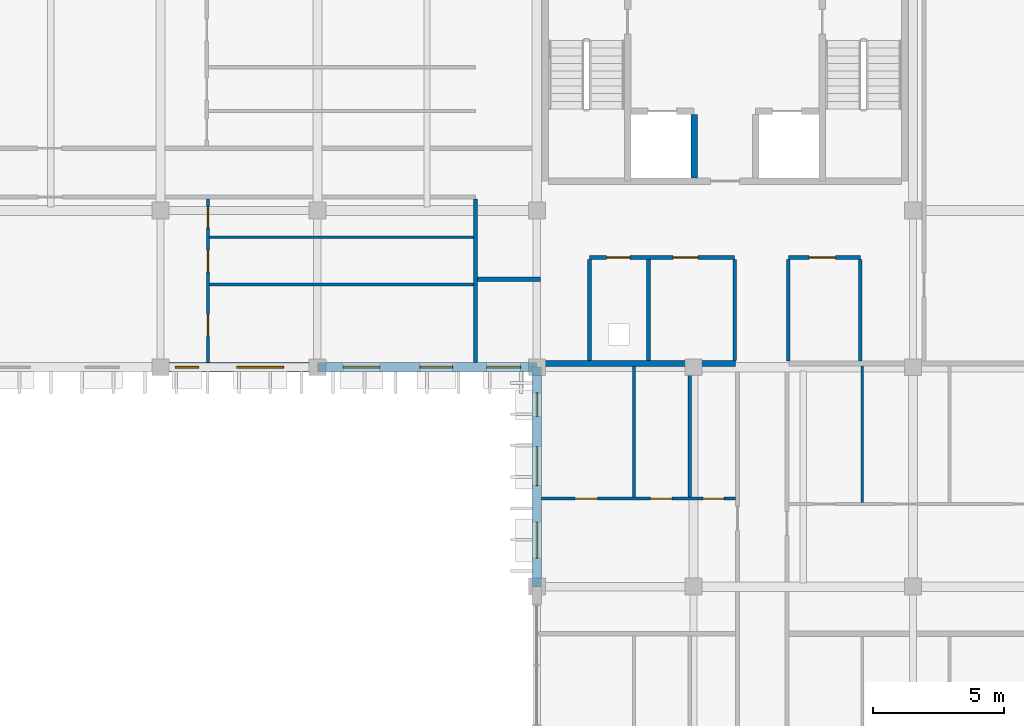
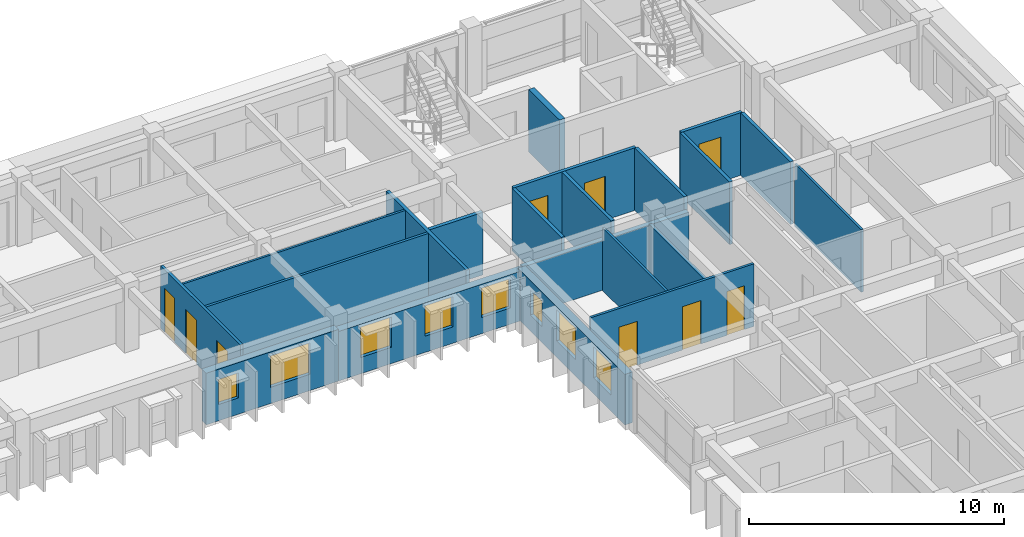
# One storey, part 47 of 79: 21 walls, 9 doors, 8 windows, 17 openings.
"""IFC4 building model written with IfcOpenShell, lengths in metres."""

from ifc_helpers import new_model, si_unit, direction, frame, frame_2d, origin, place, context, subcontext, project, spatial, rectangle, extrude, material, layer, layer_set, type_object, element, fill, save


model = new_model("IFC4")

# Units and contexts
model_context = context("Model", 3, precision=1e-05, world=origin(), true_north=direction((0.0, 1.0)))
body_context = subcontext(model_context, "Body", "Model", "MODEL_VIEW")
ifc_project = project(units=[si_unit("LENGTHUNIT", "METRE"), si_unit("AREAUNIT", "SQUARE_METRE"), si_unit("VOLUMEUNIT", "CUBIC_METRE"), si_unit("PLANEANGLEUNIT", "RADIAN"), si_unit("MASSUNIT", "GRAM", prefix="KILO"), si_unit("THERMODYNAMICTEMPERATUREUNIT", "KELVIN")], contexts=[model_context])

# Site, building, storey
site_placement = place(None, origin())
site = spatial("IfcSite", under=ifc_project, at=site_placement, CompositionType="ELEMENT")
building_placement = place(site_placement, origin())
building = spatial("IfcBuilding", under=site, at=building_placement, Name="Thalorik Housing Commons", CompositionType="ELEMENT")
storey_placement = place(building_placement, frame((0.0, 0.0, 11.39990234375)))
storey = spatial("IfcBuildingStorey", under=building, at=storey_placement, Name="L03", CompositionType="ELEMENT", Elevation=11.39990234375)

# Walls
ifc_material_1 = material(Name="Concrete C40/50", Category="concrete")
ifc_layer_1 = layer(ifc_material_1, 0.25, Name="Concrete C40/50", Category="concrete")
ifc_layer_set_1 = layer_set([ifc_layer_1], Name="Concrete C40/50")
wall_type_1 = type_object("IfcWallType", Name="ARC-WAL-CORE-250", PredefinedType="SHEAR", material=ifc_layer_set_1)
wall_1_placement = place(storey_placement, frame((158.425048828125, 118.875, 0.0), z_axis=(0.0, 0.0, 1.0), x_axis=(0.0, -1.0, 0.0)))
element("IfcWall", 1, at=wall_1_placement, inside=storey, type_object=wall_type_1, Name="L03 Lift 1 Cheek Wall", PredefinedType="SHEAR", context=body_context, shape_type="SweptSolid", body=[
    extrude(rectangle(XDim=2.425048828125, YDim=0.25, at=frame_2d((1.21240234375, 0.0))), origin(), (0.0, 0.0, 1.0), 3.0),
])
ifc_material_2 = material(Name="Masonry fire-rated corridor wall", Category="masonry")
ifc_layer_2 = layer(ifc_material_2, 0.14990234375, Name="Masonry fire-rated corridor wall", Category="masonry")
ifc_layer_set_2 = layer_set([ifc_layer_2], Name="Masonry fire-rated corridor wall")
wall_type_2 = type_object("IfcWallType", Name="ARC-WAL-CORR-150", PredefinedType="PARTITIONING", material=ifc_layer_set_2)
wall_2_placement = place(storey_placement, frame((150.050048828125, 109.376953125, 0.0), z_axis=(0.0, 0.0, 1.0), x_axis=(0.0, 1.0, 0.0)))
element("IfcWall", 2, at=wall_2_placement, inside=storey, type_object=wall_type_2, Name="L03 Block B Vestibule Cheek Wall", PredefinedType="PARTITIONING", context=body_context, shape_type="SweptSolid", body=[
    extrude(rectangle(XDim=6.26611328125, YDim=0.14990234375, at=frame_2d((3.133056640625, 0.0))), origin(), (0.0, 0.0, 1.0), 3.0),
])
ifc_layer_3 = layer(ifc_material_2, 0.1650390625, Name="Masonry fire-rated corridor wall", Category="masonry")
ifc_layer_set_3 = layer_set([ifc_layer_3], Name="Masonry fire-rated corridor wall")
wall_type_3 = type_object("IfcWallType", Name="ARC-WAL-CORR-165", PredefinedType="PARTITIONING", material=ifc_layer_set_3)
wall_3_placement = place(storey_placement, frame((150.126953125, 112.570068359375, 0.0), z_axis=(0.0, 0.0, 1.0), x_axis=(1.0, 0.0, 0.0)))
element("IfcWall", 3, at=wall_3_placement, inside=storey, type_object=wall_type_3, Name="L03 Block B Vestibule South Wall", PredefinedType="PARTITIONING", context=body_context, shape_type="SweptSolid", body=[
    extrude(rectangle(XDim=2.4130859375, YDim=0.1650390625, at=frame_2d((1.20654296875, 0.0))), origin(), (0.0, 0.0, 1.0), 3.0),
])

# Wall, openings, windows
ifc_material_3 = material(Name="White precast concrete C40/50", Category="concrete")
ifc_layer_4 = layer(ifc_material_3, 0.35009765625, Name="White precast concrete C40/50", Category="concrete")
ifc_layer_set_4 = layer_set([ifc_layer_4], Name="White precast concrete C40/50")
wall_type_4 = type_object("IfcWallType", Name="ARC-WAL-EXT-350", PredefinedType="STANDARD", material=ifc_layer_set_4)
wall_4_placement = place(storey_placement, frame((138.0, 109.199951171875, 0.0), z_axis=(0.0, 0.0, 1.0), x_axis=(1.0, 0.0, 0.0)))
wall_4 = element("IfcWall", 4, at=wall_4_placement, inside=storey, type_object=wall_type_4, Name="L03 Exterior Wall WAL-EXT-L03-B-0508", PredefinedType="STANDARD", context=body_context, shape_type="SweptSolid", body=[
    extrude(rectangle(XDim=6.0, YDim=0.35009765625, at=frame_2d((3.0, 0.0))), origin(), (0.0, 0.0, 1.0), 2.47509765625),
])
opening_1_placement = place(wall_4_placement, frame((0.552490234375, 0.0, 0.780029296875)))
opening_1 = element("IfcOpeningElement", 5, at=opening_1_placement, cuts=wall_4, Name="Opening W-01", PredefinedType="OPENING", context=body_context, shape_type="SweptSolid", body=[
    extrude(rectangle(XDim=0.89990234375, YDim=1.199951171875, at=frame_2d((0.449951171875, 0.60009765625))), frame((0.0, 0.18505859375, 0.0), z_axis=(0.0, -1.0, 0.0), x_axis=(1.0, 0.0, 0.0)), (0.0, 0.0, 1.0), 0.3701171875),
])
opening_2_placement = place(wall_4_placement, frame((2.91259765625, 0.0, 0.780029296875)))
opening_2 = element("IfcOpeningElement", 6, at=opening_2_placement, cuts=wall_4, Name="Opening W-18", PredefinedType="OPENING", context=body_context, shape_type="SweptSolid", body=[
    extrude(rectangle(XDim=1.800048828125, YDim=1.5, at=frame_2d((0.89990234375, 0.75))), frame((0.0, 0.18505859375, 0.0), z_axis=(0.0, -1.0, 0.0), x_axis=(1.0, 0.0, 0.0)), (0.0, 0.0, 1.0), 0.3701171875),
])
ifc_material_4 = material(Name="Anodised aluminium and solar-control low-E glass", Category="aluminium")
window_type_1 = type_object("IfcWindowType", Name="ARC-WIN-01", PartitioningType="SINGLE_PANEL", PredefinedType="WINDOW", material=ifc_material_4)
window_1_placement = place(opening_1_placement, origin())
window_1 = element("IfcWindow", 7, at=window_1_placement, inside=storey, type_object=window_type_1, Name="L03 Facade Window 913", OverallHeight=1.199951171875, OverallWidth=0.89990234375, PartitioningType="SINGLE_PANEL", PredefinedType="WINDOW", context=body_context, shape_type="SweptSolid", body=[
    extrude(rectangle(XDim=0.89990234375, YDim=1.199951171875, at=frame_2d((0.449951171875, 0.60009765625))), frame((0.0, 0.030029296875, 0.0), z_axis=(0.0, -1.0, 0.0), x_axis=(1.0, 0.0, 0.0)), (0.0, 0.0, 1.0), 0.06005859375),
])
fill(opening_1, window_1)
window_type_2 = type_object("IfcWindowType", Name="ARC-WIN-18", PartitioningType="DOUBLE_PANEL_VERTICAL", PredefinedType="WINDOW", material=ifc_material_4)
window_2_placement = place(opening_2_placement, origin())
window_2 = element("IfcWindow", 8, at=window_2_placement, inside=storey, type_object=window_type_2, Name="L03 Facade Window 914", OverallHeight=1.5, OverallWidth=1.800048828125, PartitioningType="DOUBLE_PANEL_VERTICAL", PredefinedType="WINDOW", context=body_context, shape_type="SweptSolid", body=[
    extrude(rectangle(XDim=1.800048828125, YDim=1.5, at=frame_2d((0.89990234375, 0.75))), frame((0.0, 0.030029296875, 0.0), z_axis=(0.0, -1.0, 0.0), x_axis=(1.0, 0.0, 0.0)), (0.0, 0.0, 1.0), 0.06005859375),
])
fill(opening_2, window_2)

wall_5_placement = place(storey_placement, frame((144.0, 109.199951171875, 0.0), z_axis=(0.0, 0.0, 1.0), x_axis=(1.0, 0.0, 0.0)))
wall_5 = element("IfcWall", 9, at=wall_5_placement, inside=storey, type_object=wall_type_4, Name="L03 Exterior Wall WAL-EXT-L03-B-0509", PredefinedType="STANDARD", context=body_context, shape_type="SweptSolid", body=[
    extrude(rectangle(XDim=8.39990234375, YDim=0.35009765625, at=frame_2d((4.199951171875, 0.0))), origin(), (0.0, 0.0, 1.0), 2.375),
])
opening_3_placement = place(wall_5_placement, frame((0.989990234375, 0.0, 0.780029296875)))
opening_3 = element("IfcOpeningElement", 10, at=opening_3_placement, cuts=wall_5, Name="Opening W-08", PredefinedType="OPENING", context=body_context, shape_type="SweptSolid", body=[
    extrude(rectangle(XDim=1.39990234375, YDim=1.449951171875, at=frame_2d((0.699951171875, 0.72509765625))), frame((0.0, 0.18505859375, 0.0), z_axis=(0.0, -1.0, 0.0), x_axis=(1.0, 0.0, 0.0)), (0.0, 0.0, 1.0), 0.3701171875),
])
opening_4_placement = place(wall_5_placement, frame((3.925048828125, 0.0, 0.780029296875)))
opening_4 = element("IfcOpeningElement", 11, at=opening_4_placement, cuts=wall_5, Name="Opening W-47", PredefinedType="OPENING", context=body_context, shape_type="SweptSolid", body=[
    extrude(rectangle(XDim=1.25, YDim=1.449951171875, at=frame_2d((0.625, 0.72509765625))), frame((0.0, 0.18505859375, 0.0), z_axis=(0.0, -1.0, 0.0), x_axis=(1.0, 0.0, 0.0)), (0.0, 0.0, 1.0), 0.3701171875),
])
opening_5_placement = place(wall_5_placement, frame((6.47998046875, 0.0, 0.780029296875)))
opening_5 = element("IfcOpeningElement", 12, at=opening_5_placement, cuts=wall_5, Name="Opening W-06", PredefinedType="OPENING", context=body_context, shape_type="SweptSolid", body=[
    extrude(rectangle(XDim=1.300048828125, YDim=1.39990234375, at=frame_2d((0.64990234375, 0.699951171875))), frame((0.0, 0.18505859375, 0.0), z_axis=(0.0, -1.0, 0.0), x_axis=(1.0, 0.0, 0.0)), (0.0, 0.0, 1.0), 0.3701171875),
])
window_type_3 = type_object("IfcWindowType", Name="ARC-WIN-06", PartitioningType="SINGLE_PANEL", PredefinedType="WINDOW", material=ifc_material_4)
window_3_placement = place(opening_5_placement, origin())
window_3 = element("IfcWindow", 13, at=window_3_placement, inside=storey, type_object=window_type_3, Name="L03 Facade Window 917", OverallHeight=1.39990234375, OverallWidth=1.300048828125, PartitioningType="SINGLE_PANEL", PredefinedType="WINDOW", context=body_context, shape_type="SweptSolid", body=[
    extrude(rectangle(XDim=1.300048828125, YDim=1.39990234375, at=frame_2d((0.64990234375, 0.699951171875))), frame((0.0, 0.030029296875, 0.0), z_axis=(0.0, -1.0, 0.0), x_axis=(1.0, 0.0, 0.0)), (0.0, 0.0, 1.0), 0.06005859375),
])
fill(opening_5, window_3)
window_type_4 = type_object("IfcWindowType", Name="ARC-WIN-08", PartitioningType="SINGLE_PANEL", PredefinedType="WINDOW", material=ifc_material_4)
window_4_placement = place(opening_3_placement, origin())
window_4 = element("IfcWindow", 14, at=window_4_placement, inside=storey, type_object=window_type_4, Name="L03 Facade Window 915", OverallHeight=1.449951171875, OverallWidth=1.39990234375, PartitioningType="SINGLE_PANEL", PredefinedType="WINDOW", context=body_context, shape_type="SweptSolid", body=[
    extrude(rectangle(XDim=1.39990234375, YDim=1.449951171875, at=frame_2d((0.699951171875, 0.72509765625))), frame((0.0, 0.030029296875, 0.0), z_axis=(0.0, -1.0, 0.0), x_axis=(1.0, 0.0, 0.0)), (0.0, 0.0, 1.0), 0.06005859375),
])
fill(opening_3, window_4)
window_type_5 = type_object("IfcWindowType", Name="ARC-WIN-47", PartitioningType="SINGLE_PANEL", PredefinedType="WINDOW", material=ifc_material_4)
window_5_placement = place(opening_4_placement, origin())
window_5 = element("IfcWindow", 15, at=window_5_placement, inside=storey, type_object=window_type_5, Name="L03 Facade Window 916", OverallHeight=1.449951171875, OverallWidth=1.25, PartitioningType="SINGLE_PANEL", PredefinedType="WINDOW", context=body_context, shape_type="SweptSolid", body=[
    extrude(rectangle(XDim=1.25, YDim=1.449951171875, at=frame_2d((0.625, 0.72509765625))), frame((0.0, 0.030029296875, 0.0), z_axis=(0.0, -1.0, 0.0), x_axis=(1.0, 0.0, 0.0)), (0.0, 0.0, 1.0), 0.06005859375),
])
fill(opening_4, window_5)

wall_6_placement = place(storey_placement, frame((152.39990234375, 109.199951171875, 0.0), z_axis=(0.0, 0.0, 1.0), x_axis=(0.0, -1.0, 0.0)))
wall_6 = element("IfcWall", 16, at=wall_6_placement, inside=storey, type_object=wall_type_4, Name="L03 Exterior Wall WAL-EXT-L03-B-0510", PredefinedType="STANDARD", context=body_context, shape_type="SweptSolid", body=[
    extrude(rectangle(XDim=8.39990234375, YDim=0.35009765625, at=frame_2d((4.199951171875, 0.0))), origin(), (0.0, 0.0, 1.0), 2.425048828125),
])
opening_6_placement = place(wall_6_placement, frame((0.985107421875, 0.0, 0.780029296875)))
opening_6 = element("IfcOpeningElement", 17, at=opening_6_placement, cuts=wall_6, Name="Opening W-01", PredefinedType="OPENING", context=body_context, shape_type="SweptSolid", body=[
    extrude(rectangle(XDim=0.89990234375, YDim=1.199951171875, at=frame_2d((0.449951171875, 0.60009765625))), frame((0.0, 0.18505859375, 0.0), z_axis=(0.0, -1.0, 0.0), x_axis=(1.0, 0.0, 0.0)), (0.0, 0.0, 1.0), 0.3701171875),
])
opening_7_placement = place(wall_6_placement, frame((3.034912109375, 0.0, 0.780029296875)))
opening_7 = element("IfcOpeningElement", 18, at=opening_7_placement, cuts=wall_6, Name="Opening W-10", PredefinedType="OPENING", context=body_context, shape_type="SweptSolid", body=[
    extrude(rectangle(XDim=1.5, YDim=1.5, at=frame_2d((0.75, 0.75))), frame((0.0, 0.18505859375, 0.0), z_axis=(0.0, -1.0, 0.0), x_axis=(1.0, 0.0, 0.0)), (0.0, 0.0, 1.0), 0.3701171875),
])
opening_8_placement = place(wall_6_placement, frame((5.929931640625, 0.0, 0.780029296875)))
opening_8 = element("IfcOpeningElement", 19, at=opening_8_placement, cuts=wall_6, Name="Opening W-49", PredefinedType="OPENING", context=body_context, shape_type="SweptSolid", body=[
    extrude(rectangle(XDim=1.3798828125, YDim=1.47998046875, at=frame_2d((0.68994140625, 0.739990234375))), frame((0.0, 0.18505859375, 0.0), z_axis=(0.0, -1.0, 0.0), x_axis=(1.0, 0.0, 0.0)), (0.0, 0.0, 1.0), 0.3701171875),
])
window_6_placement = place(opening_6_placement, origin())
window_6 = element("IfcWindow", 20, at=window_6_placement, inside=storey, type_object=window_type_1, Name="L03 Facade Window 918", OverallHeight=1.199951171875, OverallWidth=0.89990234375, PartitioningType="SINGLE_PANEL", PredefinedType="WINDOW", context=body_context, shape_type="SweptSolid", body=[
    extrude(rectangle(XDim=0.89990234375, YDim=1.199951171875, at=frame_2d((0.449951171875, 0.60009765625))), frame((0.0, 0.030029296875, 0.0), z_axis=(0.0, -1.0, 0.0), x_axis=(1.0, 0.0, 0.0)), (0.0, 0.0, 1.0), 0.06005859375),
])
fill(opening_6, window_6)
window_type_6 = type_object("IfcWindowType", Name="ARC-WIN-10", PartitioningType="SINGLE_PANEL", PredefinedType="WINDOW", material=ifc_material_4)
window_7_placement = place(opening_7_placement, origin())
window_7 = element("IfcWindow", 21, at=window_7_placement, inside=storey, type_object=window_type_6, Name="L03 Facade Window 919", OverallHeight=1.5, OverallWidth=1.5, PartitioningType="SINGLE_PANEL", PredefinedType="WINDOW", context=body_context, shape_type="SweptSolid", body=[
    extrude(rectangle(XDim=1.5, YDim=1.5, at=frame_2d((0.75, 0.75))), frame((0.0, 0.030029296875, 0.0), z_axis=(0.0, -1.0, 0.0), x_axis=(1.0, 0.0, 0.0)), (0.0, 0.0, 1.0), 0.06005859375),
])
fill(opening_7, window_7)
window_type_7 = type_object("IfcWindowType", Name="ARC-WIN-49", PartitioningType="SINGLE_PANEL", PredefinedType="WINDOW", material=ifc_material_4)
window_8_placement = place(opening_8_placement, origin())
window_8 = element("IfcWindow", 22, at=window_8_placement, inside=storey, type_object=window_type_7, Name="L03 Facade Window 920", OverallHeight=1.47998046875, OverallWidth=1.3798828125, PartitioningType="SINGLE_PANEL", PredefinedType="WINDOW", context=body_context, shape_type="SweptSolid", body=[
    extrude(rectangle(XDim=1.3798828125, YDim=1.47998046875, at=frame_2d((0.68994140625, 0.739990234375))), frame((0.0, 0.030029296875, 0.0), z_axis=(0.0, -1.0, 0.0), x_axis=(1.0, 0.0, 0.0)), (0.0, 0.0, 1.0), 0.06005859375),
])
fill(opening_8, window_8)

# Walls
ifc_material_5 = material(Name="Gypsum light stud partition", Category="masonry")
ifc_layer_5 = layer(ifc_material_5, 0.10009765625, Name="Gypsum light stud partition", Category="masonry")
ifc_layer_set_5 = layer_set([ifc_layer_5], Name="Gypsum light stud partition")
wall_type_5 = type_object("IfcWallType", Name="ARC-WAL-PART-100", PredefinedType="PARTITIONING", material=ifc_layer_set_5)
wall_7_placement = place(storey_placement, frame((139.87939453125, 114.169677734375, 0.0), z_axis=(0.0, 0.0, 1.0), x_axis=(1.0, 0.0, 0.0)))
element("IfcWall", 23, at=wall_7_placement, inside=storey, type_object=wall_type_5, Name="L03 Unit 3 Wet Wall", PredefinedType="PARTITIONING", context=body_context, shape_type="SweptSolid", body=[
    extrude(rectangle(XDim=10.093505859375, YDim=0.10009765625, at=frame_2d((5.046875, 0.0))), origin(), (0.0, 0.0, 1.0), 3.0),
])
wall_8_placement = place(storey_placement, frame((156.11767578125, 104.2294921875, 0.0), z_axis=(0.0, 0.0, 1.0), x_axis=(0.0, 1.0, 0.0)))
element("IfcWall", 24, at=wall_8_placement, inside=storey, type_object=wall_type_5, Name="L03 Unit 3 Bedroom Partition", PredefinedType="PARTITIONING", context=body_context, shape_type="SweptSolid", body=[
    extrude(rectangle(XDim=4.99853515625, YDim=0.10009765625, at=frame_2d((2.499267578125, 0.0))), origin(), (0.0, 0.0, 1.0), 3.0),
])
wall_9_placement = place(storey_placement, frame((164.850341796875, 104.027587890625, 0.0), z_axis=(0.0, 0.0, 1.0), x_axis=(0.0, 1.0, 0.0)))
element("IfcWall", 25, at=wall_9_placement, inside=storey, type_object=wall_type_5, Name="L03 Unit 3B Wet Wall", PredefinedType="PARTITIONING", context=body_context, shape_type="SweptSolid", body=[
    extrude(rectangle(XDim=5.218017578125, YDim=0.10009765625, at=frame_2d((2.60888671875, 0.0))), origin(), (0.0, 0.0, 1.0), 3.0),
])
ifc_material_6 = material(Name="Gypsum moisture-resistant partition", Category="masonry")
ifc_layer_6 = layer(ifc_material_6, 0.114990234375, Name="Gypsum moisture-resistant partition", Category="masonry")
ifc_layer_set_6 = layer_set([ifc_layer_6], Name="Gypsum moisture-resistant partition")
wall_type_6 = type_object("IfcWallType", Name="ARC-WAL-PART-115", PredefinedType="PARTITIONING", material=ifc_layer_set_6)
wall_10_placement = place(storey_placement, frame((139.87939453125, 112.36083984375, 0.0), z_axis=(0.0, 0.0, 1.0), x_axis=(1.0, 0.0, 0.0)))
element("IfcWall", 26, at=wall_10_placement, inside=storey, type_object=wall_type_6, Name="L03 Unit 3 Bedroom Partition", PredefinedType="PARTITIONING", context=body_context, shape_type="SweptSolid", body=[
    extrude(rectangle(XDim=10.093505859375, YDim=0.114990234375, at=frame_2d((5.046875, 0.0))), origin(), (0.0, 0.0, 1.0), 3.0),
])

# Wall, openings, doors
wall_11_placement = place(storey_placement, frame((152.576904296875, 104.169921875, 0.0), z_axis=(0.0, 0.0, 1.0), x_axis=(1.0, 0.0, 0.0)))
wall_11 = element("IfcWall", 27, at=wall_11_placement, inside=storey, type_object=wall_type_6, Name="L03 Unit 3 Spine Partition", PredefinedType="PARTITIONING", context=body_context, shape_type="SweptSolid", body=[
    extrude(rectangle(XDim=7.418701171875, YDim=0.114990234375, at=frame_2d((3.70947265625, 0.0))), origin(), (0.0, 0.0, 1.0), 3.0),
])
opening_9_placement = place(wall_11_placement, frame((1.286865234375, 0.0, 0.0)))
opening_9 = element("IfcOpeningElement", 28, at=opening_9_placement, cuts=wall_11, Name="Opening ID-1111", PredefinedType="OPENING", context=body_context, shape_type="SweptSolid", body=[
    extrude(rectangle(XDim=0.85009765625, YDim=2.10009765625, at=frame_2d((0.425048828125, 1.050048828125))), frame((0.0, 0.0673828125, 0.0), z_axis=(0.0, -1.0, 0.0), x_axis=(1.0, 0.0, 0.0)), (0.0, 0.0, 1.0), 0.135009765625),
])
opening_10_placement = place(wall_11_placement, frame((4.182373046875, 0.0, 0.0)))
opening_10 = element("IfcOpeningElement", 29, at=opening_10_placement, cuts=wall_11, Name="Opening ID-1112", PredefinedType="OPENING", context=body_context, shape_type="SweptSolid", body=[
    extrude(rectangle(XDim=0.820068359375, YDim=2.080078125, at=frame_2d((0.41015625, 1.0400390625))), frame((0.0, 0.0673828125, 0.0), z_axis=(0.0, -1.0, 0.0), x_axis=(1.0, 0.0, 0.0)), (0.0, 0.0, 1.0), 0.135009765625),
])
opening_11_placement = place(wall_11_placement, frame((6.188720703125, 0.0, 0.0)))
opening_11 = element("IfcOpeningElement", 30, at=opening_11_placement, cuts=wall_11, Name="Opening ID-1113", PredefinedType="OPENING", context=body_context, shape_type="SweptSolid", body=[
    extrude(rectangle(XDim=0.800048828125, YDim=2.10009765625, at=frame_2d((0.39990234375, 1.050048828125))), frame((0.0, 0.0673828125, 0.0), z_axis=(0.0, -1.0, 0.0), x_axis=(1.0, 0.0, 0.0)), (0.0, 0.0, 1.0), 0.135009765625),
])
ifc_material_7 = material(Name="Moisture-resistant timber", Category="wood")
door_type_1 = type_object("IfcDoorType", Name="ARC-DR-INT-800", OperationType="NOTDEFINED", PredefinedType="DOOR", material=ifc_material_7)
door_1_placement = place(opening_11_placement, origin())
door_1 = element("IfcDoor", 31, at=door_1_placement, inside=storey, type_object=door_type_1, Name="L03 Flat Bathroom Door", OperationType="SINGLE_SWING_RIGHT", OverallHeight=2.10009765625, OverallWidth=0.800048828125, PredefinedType="DOOR", context=body_context, shape_type="SweptSolid", body=[
    extrude(rectangle(XDim=0.800048828125, YDim=2.10009765625, at=frame_2d((0.39990234375, 1.050048828125))), frame((0.0, 0.02490234375, 0.0), z_axis=(0.0, -1.0, 0.0), x_axis=(1.0, 0.0, 0.0)), (0.0, 0.0, 1.0), 0.050048828125),
])
fill(opening_11, door_1)
ifc_material_8 = material(Name="Engineered oak timber", Category="wood")
door_type_2 = type_object("IfcDoorType", Name="ARC-DR-INT-820", OperationType="NOTDEFINED", PredefinedType="DOOR", material=ifc_material_8)
door_2_placement = place(opening_10_placement, origin())
door_2 = element("IfcDoor", 32, at=door_2_placement, inside=storey, type_object=door_type_2, Name="L03 Eat-In Kitchen Door", OperationType="SINGLE_SWING_LEFT", OverallHeight=2.080078125, OverallWidth=0.820068359375, PredefinedType="DOOR", context=body_context, shape_type="SweptSolid", body=[
    extrude(rectangle(XDim=0.820068359375, YDim=2.080078125, at=frame_2d((0.41015625, 1.0400390625))), frame((0.0, 0.02490234375, 0.0), z_axis=(0.0, -1.0, 0.0), x_axis=(1.0, 0.0, 0.0)), (0.0, 0.0, 1.0), 0.050048828125),
])
fill(opening_10, door_2)
door_type_3 = type_object("IfcDoorType", Name="ARC-DR-INT-850", OperationType="NOTDEFINED", PredefinedType="DOOR", material=ifc_material_8)
door_3_placement = place(opening_9_placement, origin())
door_3 = element("IfcDoor", 33, at=door_3_placement, inside=storey, type_object=door_type_3, Name="L03 Master Bedroom Door", OperationType="SINGLE_SWING_RIGHT", OverallHeight=2.10009765625, OverallWidth=0.85009765625, PredefinedType="DOOR", context=body_context, shape_type="SweptSolid", body=[
    extrude(rectangle(XDim=0.85009765625, YDim=2.10009765625, at=frame_2d((0.425048828125, 1.050048828125))), frame((0.0, 0.02490234375, 0.0), z_axis=(0.0, -1.0, 0.0), x_axis=(1.0, 0.0, 0.0)), (0.0, 0.0, 1.0), 0.050048828125),
])
fill(opening_9, door_3)

ifc_material_9 = material(Name="Gypsum acoustic stud partition", Category="masonry")
ifc_layer_7 = layer(ifc_material_9, 0.125, Name="Gypsum acoustic stud partition", Category="masonry")
ifc_layer_set_7 = layer_set([ifc_layer_7], Name="Gypsum acoustic stud partition")
wall_type_7 = type_object("IfcWallType", Name="ARC-WAL-PART-125", PredefinedType="PARTITIONING", material=ifc_layer_set_7)
wall_12_placement = place(storey_placement, frame((139.81494140625, 109.376953125, 0.0), z_axis=(0.0, 0.0, 1.0), x_axis=(0.0, 1.0, 0.0)))
wall_12 = element("IfcWall", 34, at=wall_12_placement, inside=storey, type_object=wall_type_7, Name="L03 Unit 3 Spine Partition", PredefinedType="PARTITIONING", context=body_context, shape_type="SweptSolid", body=[
    extrude(rectangle(XDim=6.26611328125, YDim=0.125, at=frame_2d((3.133056640625, 0.0))), origin(), (0.0, 0.0, 1.0), 3.0),
])
opening_12_placement = place(wall_12_placement, frame((1.00830078125, 0.0, 0.0)))
opening_12 = element("IfcOpeningElement", 35, at=opening_12_placement, cuts=wall_12, Name="Opening ID-1086", PredefinedType="OPENING", context=body_context, shape_type="SweptSolid", body=[
    extrude(rectangle(XDim=0.85009765625, YDim=2.10009765625, at=frame_2d((0.425048828125, 1.050048828125))), frame((0.0, 0.072509765625, 0.0), z_axis=(0.0, -1.0, 0.0), x_axis=(1.0, 0.0, 0.0)), (0.0, 0.0, 1.0), 0.14501953125),
])
opening_13_placement = place(wall_12_placement, frame((3.463134765625, 0.0, 0.0)))
opening_13 = element("IfcOpeningElement", 36, at=opening_13_placement, cuts=wall_12, Name="Opening ID-1087", PredefinedType="OPENING", context=body_context, shape_type="SweptSolid", body=[
    extrude(rectangle(XDim=0.85009765625, YDim=2.10009765625, at=frame_2d((0.425048828125, 1.050048828125))), frame((0.0, 0.072509765625, 0.0), z_axis=(0.0, -1.0, 0.0), x_axis=(1.0, 0.0, 0.0)), (0.0, 0.0, 1.0), 0.14501953125),
])
opening_14_placement = place(wall_12_placement, frame((5.167724609375, 0.0, 0.0)))
opening_14 = element("IfcOpeningElement", 37, at=opening_14_placement, cuts=wall_12, Name="Opening ID-1088", PredefinedType="OPENING", context=body_context, shape_type="SweptSolid", body=[
    extrude(rectangle(XDim=0.800048828125, YDim=2.10009765625, at=frame_2d((0.39990234375, 1.050048828125))), frame((0.0, 0.072509765625, 0.0), z_axis=(0.0, -1.0, 0.0), x_axis=(1.0, 0.0, 0.0)), (0.0, 0.0, 1.0), 0.14501953125),
])
door_4_placement = place(opening_14_placement, origin())
door_4 = element("IfcDoor", 38, at=door_4_placement, inside=storey, type_object=door_type_1, Name="L03 Flat Bathroom Door", OperationType="SINGLE_SWING_LEFT", OverallHeight=2.10009765625, OverallWidth=0.800048828125, PredefinedType="DOOR", context=body_context, shape_type="SweptSolid", body=[
    extrude(rectangle(XDim=0.800048828125, YDim=2.10009765625, at=frame_2d((0.39990234375, 1.050048828125))), frame((0.0, 0.02490234375, 0.0), z_axis=(0.0, -1.0, 0.0), x_axis=(1.0, 0.0, 0.0)), (0.0, 0.0, 1.0), 0.050048828125),
])
fill(opening_14, door_4)
door_5_placement = place(opening_12_placement, origin())
door_5 = element("IfcDoor", 39, at=door_5_placement, inside=storey, type_object=door_type_3, Name="L03 Master Bedroom Door", OperationType="SINGLE_SWING_LEFT", OverallHeight=2.10009765625, OverallWidth=0.85009765625, PredefinedType="DOOR", context=body_context, shape_type="SweptSolid", body=[
    extrude(rectangle(XDim=0.85009765625, YDim=2.10009765625, at=frame_2d((0.425048828125, 1.050048828125))), frame((0.0, 0.02490234375, 0.0), z_axis=(0.0, -1.0, 0.0), x_axis=(1.0, 0.0, 0.0)), (0.0, 0.0, 1.0), 0.050048828125),
])
fill(opening_12, door_5)
door_6_placement = place(opening_13_placement, origin())
door_6 = element("IfcDoor", 40, at=door_6_placement, inside=storey, type_object=door_type_3, Name="L03 Eat-In Kitchen Door", OperationType="SINGLE_SWING_RIGHT", OverallHeight=2.10009765625, OverallWidth=0.85009765625, PredefinedType="DOOR", context=body_context, shape_type="SweptSolid", body=[
    extrude(rectangle(XDim=0.85009765625, YDim=2.10009765625, at=frame_2d((0.425048828125, 1.050048828125))), frame((0.0, 0.02490234375, 0.0), z_axis=(0.0, -1.0, 0.0), x_axis=(1.0, 0.0, 0.0)), (0.0, 0.0, 1.0), 0.050048828125),
])
fill(opening_13, door_6)

# Walls
ifc_material_10 = material(Name="Ceramic masonry partition wall", Category="masonry")
ifc_layer_8 = layer(ifc_material_10, 0.139892578125, Name="Ceramic masonry partition wall", Category="masonry")
ifc_layer_set_8 = layer_set([ifc_layer_8], Name="Ceramic masonry partition wall")
wall_type_8 = type_object("IfcWallType", Name="ARC-WAL-PART-140", PredefinedType="PARTITIONING", material=ifc_layer_set_8)
wall_13_placement = place(storey_placement, frame((158.251220703125, 104.2294921875, 0.0), z_axis=(0.0, 0.0, 1.0), x_axis=(0.0, 1.0, 0.0)))
element("IfcWall", 41, at=wall_13_placement, inside=storey, type_object=wall_type_8, Name="L03 Unit 3 Wet Wall", PredefinedType="PARTITIONING", context=body_context, shape_type="SweptSolid", body=[
    extrude(rectangle(XDim=4.99853515625, YDim=0.139892578125, at=frame_2d((2.499267578125, 0.0))), origin(), (0.0, 0.0, 1.0), 2.425048828125),
])
ifc_layer_9 = layer(ifc_material_10, 0.14794921875, Name="Ceramic masonry partition wall", Category="masonry")
ifc_layer_set_9 = layer_set([ifc_layer_9], Name="Ceramic masonry partition wall")
wall_type_9 = type_object("IfcWallType", Name="ARC-WAL-PART-150", PredefinedType="PARTITIONING", material=ifc_layer_set_9)
for number, where, z_axis, x_axis, name in (
    (42, (154.419921875, 113.323974609375, 0.0), (0.0, 0.0, 1.0), (0.0, -1.0, 0.0), "Core West Enclosing Wall"),
    (43, (156.675048828125, 113.323974609375, 0.0), (0.0, 0.0, 1.0), (0.0, -1.0, 0.0), "Riser Wall"),
    (44, (159.97509765625, 113.323974609375, 0.0), (0.0, 0.0, 1.0), (0.0, -1.0, 0.0), "Core Stem West Cheek Wall"),
):
    element("IfcWall", number, at=place(storey_placement, frame(where, z_axis=z_axis, x_axis=x_axis)), inside=storey, type_object=wall_type_9, Name=name, PredefinedType="PARTITIONING", context=body_context, shape_type="SweptSolid", body=[
        extrude(rectangle(XDim=3.8720703125, YDim=0.14794921875, at=frame_2d((1.93603515625, 0.0))), origin(), (0.0, 0.0, 1.0), 3.0),
    ])
for number, where, z_axis, x_axis, name in (
    (45, (162.02490234375, 113.323974609375, 0.0), (0.0, 0.0, 1.0), (0.0, -1.0, 0.0), "Core Stem East Cheek Wall"),
    (46, (164.780029296875, 113.323974609375, 0.0), (0.0, 0.0, 1.0), (0.0, -1.0, 0.0), "Core East Enclosing Wall"),
):
    element("IfcWall", number, at=place(storey_placement, frame(where, z_axis=z_axis, x_axis=x_axis)), inside=storey, type_object=wall_type_9, Name=name, PredefinedType="PARTITIONING", context=body_context, shape_type="SweptSolid", body=[
        extrude(rectangle(XDim=3.889404296875, YDim=0.14794921875, at=frame_2d((1.94482421875, 0.0))), origin(), (0.0, 0.0, 1.0), 3.0),
    ])

# Wall, openings, doors
wall_14_placement = place(storey_placement, frame((154.419921875, 113.39990234375, 0.0), z_axis=(0.0, 0.0, 1.0), x_axis=(1.0, 0.0, 0.0)))
wall_14 = element("IfcWall", 47, at=wall_14_placement, inside=storey, type_object=wall_type_9, Name="L03 Core B West Corridor Partition", PredefinedType="PARTITIONING", context=body_context, shape_type="SweptSolid", body=[
    extrude(rectangle(XDim=5.55517578125, YDim=0.14794921875, at=frame_2d((2.777587890625, 0.0))), origin(), (0.0, 0.0, 1.0), 3.0),
])
opening_15_placement = place(wall_14_placement, frame((0.64990234375, 0.0, 0.0)))
opening_15 = element("IfcOpeningElement", 48, at=opening_15_placement, cuts=wall_14, Name="Opening ID-0174", PredefinedType="OPENING", context=body_context, shape_type="SweptSolid", body=[
    extrude(rectangle(XDim=0.89990234375, YDim=2.10009765625, at=frame_2d((0.449951171875, 1.050048828125))), frame((0.0, 0.083984375, 0.0), z_axis=(0.0, -1.0, 0.0), x_axis=(1.0, 0.0, 0.0)), (0.0, 0.0, 1.0), 0.16796875),
])
opening_16_placement = place(wall_14_placement, frame((3.199951171875, 0.0, 0.0)))
opening_16 = element("IfcOpeningElement", 49, at=opening_16_placement, cuts=wall_14, Name="Opening ID-0175", PredefinedType="OPENING", context=body_context, shape_type="SweptSolid", body=[
    extrude(rectangle(XDim=0.949951171875, YDim=2.10009765625, at=frame_2d((0.47509765625, 1.050048828125))), frame((0.0, 0.083984375, 0.0), z_axis=(0.0, -1.0, 0.0), x_axis=(1.0, 0.0, 0.0)), (0.0, 0.0, 1.0), 0.16796875),
])
ifc_material_11 = material(Name="Steel S355", Category="steel")
door_type_4 = type_object("IfcDoorType", Name="ARC-DR-FD60-900", OperationType="NOTDEFINED", PredefinedType="DOOR", material=ifc_material_11)
door_7_placement = place(opening_15_placement, origin())
door_7 = element("IfcDoor", 50, at=door_7_placement, inside=storey, type_object=door_type_4, Name="Electrical Riser Door", OperationType="SINGLE_SWING_LEFT", OverallHeight=2.10009765625, OverallWidth=0.89990234375, PredefinedType="DOOR", context=body_context, shape_type="SweptSolid", body=[
    extrude(rectangle(XDim=0.89990234375, YDim=2.10009765625, at=frame_2d((0.449951171875, 1.050048828125))), frame((0.0, 0.02490234375, 0.0), z_axis=(0.0, -1.0, 0.0), x_axis=(1.0, 0.0, 0.0)), (0.0, 0.0, 1.0), 0.050048828125),
])
fill(opening_15, door_7)
door_type_5 = type_object("IfcDoorType", Name="ARC-DR-INT-950", OperationType="NOTDEFINED", PredefinedType="DOOR", material=ifc_material_8)
door_8_placement = place(opening_16_placement, origin())
door_8 = element("IfcDoor", 51, at=door_8_placement, inside=storey, type_object=door_type_5, Name="Accessible Bathroom Door", OperationType="SINGLE_SWING_RIGHT", OverallHeight=2.10009765625, OverallWidth=0.949951171875, PredefinedType="DOOR", context=body_context, shape_type="SweptSolid", body=[
    extrude(rectangle(XDim=0.949951171875, YDim=2.10009765625, at=frame_2d((0.47509765625, 1.050048828125))), frame((0.0, 0.02490234375, 0.0), z_axis=(0.0, -1.0, 0.0), x_axis=(1.0, 0.0, 0.0)), (0.0, 0.0, 1.0), 0.050048828125),
])
fill(opening_16, door_8)

# Wall, opening, door
wall_15_placement = place(storey_placement, frame((162.02490234375, 113.39990234375, 0.0), z_axis=(0.0, 0.0, 1.0), x_axis=(1.0, 0.0, 0.0)))
wall_15 = element("IfcWall", 52, at=wall_15_placement, inside=storey, type_object=wall_type_9, Name="L03 Core B East Corridor Partition", PredefinedType="PARTITIONING", context=body_context, shape_type="SweptSolid", body=[
    extrude(rectangle(XDim=2.755126953125, YDim=0.14794921875, at=frame_2d((1.37744140625, 0.0))), origin(), (0.0, 0.0, 1.0), 3.0),
])
opening_17_placement = place(wall_15_placement, frame((0.800048828125, 0.0, 0.0)))
opening_17 = element("IfcOpeningElement", 53, at=opening_17_placement, cuts=wall_15, Name="Opening ID-0176", PredefinedType="OPENING", context=body_context, shape_type="SweptSolid", body=[
    extrude(rectangle(XDim=1.0, YDim=2.14990234375, at=frame_2d((0.5, 1.074951171875))), frame((0.0, 0.083984375, 0.0), z_axis=(0.0, -1.0, 0.0), x_axis=(1.0, 0.0, 0.0)), (0.0, 0.0, 1.0), 0.16796875),
])
door_type_6 = type_object("IfcDoorType", Name="ARC-DR-FD60-1000", OperationType="NOTDEFINED", PredefinedType="DOOR", material=ifc_material_11)
door_9_placement = place(opening_17_placement, origin())
door_9 = element("IfcDoor", 54, at=door_9_placement, inside=storey, type_object=door_type_6, Name="Core Hub Room Door", OperationType="SINGLE_SWING_LEFT", OverallHeight=2.14990234375, OverallWidth=1.0, PredefinedType="DOOR", context=body_context, shape_type="SweptSolid", body=[
    extrude(rectangle(XDim=1.0, YDim=2.14990234375, at=frame_2d((0.5, 1.074951171875))), frame((0.0, 0.02490234375, 0.0), z_axis=(0.0, -1.0, 0.0), x_axis=(1.0, 0.0, 0.0)), (0.0, 0.0, 1.0), 0.050048828125),
])
fill(opening_17, door_9)

# Wall
ifc_material_12 = material(Name="Precast concrete C40/50 acoustic wall", Category="concrete")
ifc_layer_10 = layer(ifc_material_12, 0.219970703125, Name="Precast concrete C40/50 acoustic wall", Category="concrete")
ifc_layer_set_10 = layer_set([ifc_layer_10], Name="Precast concrete C40/50 acoustic wall")
wall_type_10 = type_object("IfcWallType", Name="ARC-WAL-PARTY-220", PredefinedType="PARTITIONING", material=ifc_layer_set_10)
wall_16_placement = place(storey_placement, frame((152.4599609375, 109.340087890625, 0.0), z_axis=(0.0, 0.0, 1.0), x_axis=(1.0, 0.0, 0.0)))
element("IfcWall", 55, at=wall_16_placement, inside=storey, type_object=wall_type_10, Name="L03 Core End Wall A", PredefinedType="PARTITIONING", context=body_context, shape_type="SweptSolid", body=[
    extrude(rectangle(XDim=7.53564453125, YDim=0.219970703125, at=frame_2d((3.767822265625, 0.0))), origin(), (0.0, 0.0, 1.0), 2.375),
])

save(model, "model.ifc")
